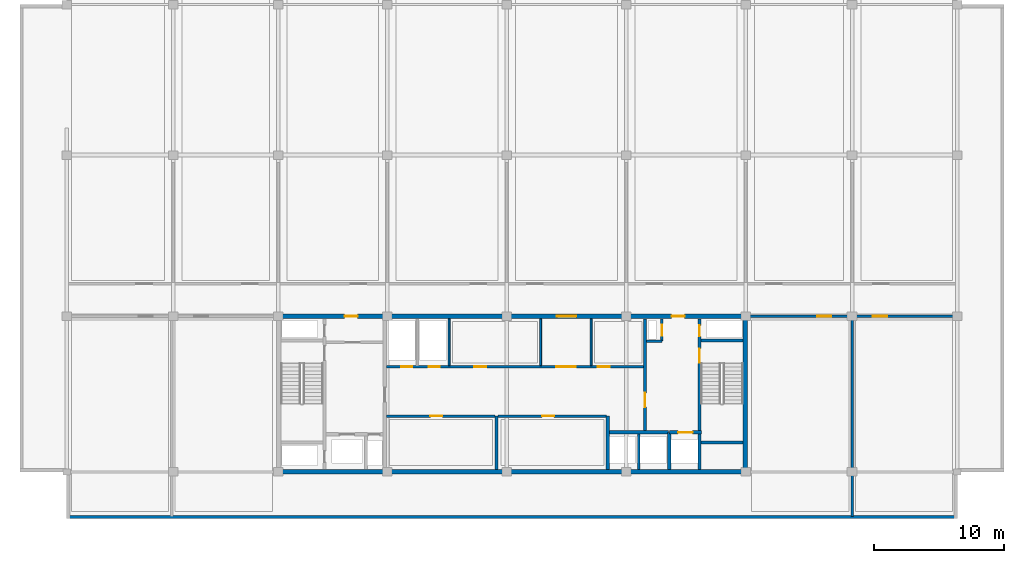
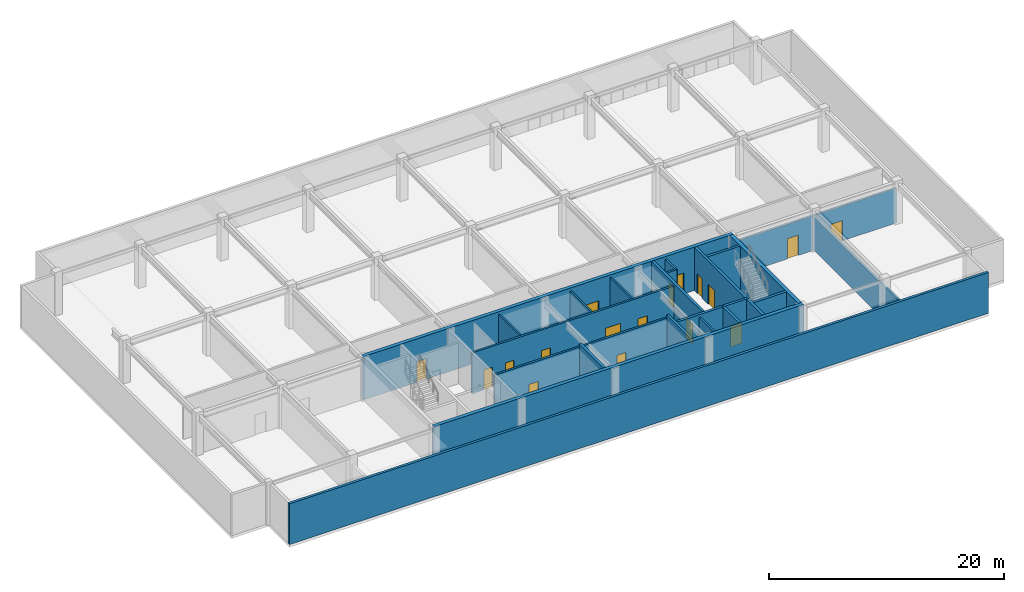
# One storey, part 4 of 9: 24 walls, 17 doors, 17 openings.
"""IFC4 building model written with IfcOpenShell, lengths in metres."""

import ifcopenshell
import ifcopenshell.guid

model = None  # the IFC model being written
_history = None  # IfcOwnerHistory: only IFC2X3 demands one
_inside = {}  # id of a spatial element -> (the spatial element, [elements in it])
_under = {}  # id of a project, library or spatial element -> (it, [spatial elements below it])
_declared = {}  # id of a project -> (the project, [libraries it declares])
_typed = {}  # id of a type object -> (the type object, [elements of that type])
_made_of = {}  # id of a material, layer set ... -> (it, [elements and type objects made of it])


def new_model(schema):
    """Start an empty IFC model of exactly this schema.

    Asked for "IFC4X3", IfcOpenShell would pick the latest addendum, in which some entities
    have other attributes; the version numbers below select the first issue.
    IFC2X3 requires an IfcOwnerHistory on every rooted entity: one is made here for all.
    """
    global model, _history
    if schema == "IFC4X3":
        model = ifcopenshell.file(schema_version=(4, 3, 0, 0))
    else:
        model = ifcopenshell.file(schema=schema)
    _inside.clear()
    _under.clear()
    _declared.clear()
    _typed.clear()
    _made_of.clear()
    _history = None
    if model.schema == "IFC2X3":
        org = make("IfcOrganization", Name="unknown")
        user = make(
            "IfcPersonAndOrganization",
            ThePerson=make("IfcPerson", FamilyName="unknown"),
            TheOrganization=org,
        )
        app = make(
            "IfcApplication",
            ApplicationDeveloper=org,
            Version="unknown",
            ApplicationFullName="unknown",
            ApplicationIdentifier="unknown",
        )
        _history = make(
            "IfcOwnerHistory",
            OwningUser=user,
            OwningApplication=app,
            ChangeAction="ADDED",
            CreationDate=0,
        )
    return model


def make(cls, **values):
    """One entity of the class cls with the attributes given. An attribute that is None is left unset."""
    return model.create_entity(
        cls, **{name: value for name, value in values.items() if value is not None}
    )


def rooted(cls, **values):
    """An entity with a GlobalId (a new one), such as an element, a storey or a relation."""
    return make(cls, GlobalId=ifcopenshell.guid.new(), OwnerHistory=_history, **values)


def si_unit(unit_type, name, prefix=None):
    """IfcSIUnit, for example si_unit("LENGTHUNIT", "METRE", prefix="MILLI")."""
    return make("IfcSIUnit", UnitType=unit_type, Prefix=prefix, Name=name)


def assignment(units):
    """IfcUnitAssignment: the units of a project."""
    return None if units is None else make("IfcUnitAssignment", Units=units)


def point(xyz):
    """IfcCartesianPoint."""
    return None if xyz is None else make("IfcCartesianPoint", Coordinates=xyz)


def direction(xyz):
    """IfcDirection."""
    return None if xyz is None else make("IfcDirection", DirectionRatios=xyz)


def frame(location, z_axis=None, x_axis=None):
    """IfcAxis2Placement3D, a coordinate frame: its origin and axes. An axis left out is left unset."""
    return make(
        "IfcAxis2Placement3D",
        Location=point(location),
        Axis=direction(z_axis),
        RefDirection=direction(x_axis),
    )


def frame_2d(location, x_axis=None):
    """IfcAxis2Placement2D, a coordinate frame in the plane: its origin and x axis."""
    return make(
        "IfcAxis2Placement2D", Location=point(location), RefDirection=direction(x_axis)
    )


def origin():
    """The frame at (0, 0, 0) with its axes left unset."""
    return frame((0.0, 0.0, 0.0))


def place(relative_to, where):
    """IfcLocalPlacement: puts the frame where relative to a parent placement (None: the world)."""
    return make(
        "IfcLocalPlacement", PlacementRelTo=relative_to, RelativePlacement=where
    )


def context(
    kind, dimensions, precision=None, world=None, true_north=None, identifier=None
):
    """IfcGeometricRepresentationContext, for example the 3D "Model" context."""
    return make(
        "IfcGeometricRepresentationContext",
        ContextIdentifier=identifier,
        ContextType=kind,
        CoordinateSpaceDimension=dimensions,
        Precision=precision,
        WorldCoordinateSystem=world,
        TrueNorth=true_north,
    )


def subcontext(parent, identifier, kind, view, scale=None):
    """IfcGeometricRepresentationSubContext, for example "Body" below "Model"."""
    return make(
        "IfcGeometricRepresentationSubContext",
        ContextIdentifier=identifier,
        ContextType=kind,
        ParentContext=parent,
        TargetScale=scale,
        TargetView=view,
    )


def project(units=None, contexts=None):
    """IfcProject with its units and contexts."""
    return rooted(
        "IfcProject",
        Name="project",
        RepresentationContexts=contexts,
        UnitsInContext=assignment(units),
    )


def spatial(cls, under=None, at=None, **own):
    """A site, building, storey or space (cls), placed at a placement, below another one or the project."""
    s = rooted(cls, ObjectPlacement=at, **own)
    if under is not None:
        _under.setdefault(under.id(), (under, []))[1].append(s)
    return s


def profile(cls, at=None, kind="AREA", **sizes):
    """A parametric profile (cls). Its sizes go by their IFC names, for example OverallWidth=200.0."""
    return make(cls, ProfileType=kind, Position=at, **sizes)


def rectangle(**sizes):
    """IfcRectangleProfileDef."""
    return profile("IfcRectangleProfileDef", **sizes)


def extrude(swept, where, along, depth):
    """IfcExtrudedAreaSolid: the profile swept, set in the frame where, extruded along a direction by depth."""
    return make(
        "IfcExtrudedAreaSolid",
        SweptArea=swept,
        Position=where,
        ExtrudedDirection=direction(along),
        Depth=depth,
    )


def shape(context_of_items, identifier, shape_type, items):
    """IfcShapeRepresentation: the items that make up one representation, for example the "Body"."""
    return make(
        "IfcShapeRepresentation",
        ContextOfItems=context_of_items,
        RepresentationIdentifier=identifier,
        RepresentationType=shape_type,
        Items=items,
    )


def material(Name=None, Category=None):
    """IfcMaterial."""
    return make("IfcMaterial", Name=Name, Category=Category)


def layer(
    of_material, thickness, ventilated=None, Name=None, Category=None, Priority=None
):
    """IfcMaterialLayer: one layer of a wall or slab, of a material (None: an air gap)."""
    return make(
        "IfcMaterialLayer",
        Material=of_material,
        LayerThickness=thickness,
        IsVentilated=ventilated,
        Name=Name,
        Category=Category,
        Priority=Priority,
    )


def layer_set(layers, Name=None):
    """IfcMaterialLayerSet."""
    return make("IfcMaterialLayerSet", MaterialLayers=layers, LayerSetName=Name)


def made_of(thing, what):
    """Note that an element or type object is made of a material, layer set ...; save() writes the relation."""
    if what is not None:
        _made_of.setdefault(what.id(), (what, []))[1].append(thing)
    return thing


def type_object(cls, material=None, **own):
    """A type object (cls), such as IfcWallType, which elements share."""
    return made_of(rooted(cls, **own), material)


def element(
    cls,
    number,
    at=None,
    inside=None,
    cuts=None,
    type_object=None,
    material=None,
    context=None,
    identifier="Body",
    shape_type=None,
    held_by="IfcProductDefinitionShape",
    body=None,
    shapes=None,
    **own,
):
    """One element of the class cls, such as IfcWall. Its Tag is "e" and its number.

    at: its placement. inside: the storey or other place that contains it. cuts: it is an
    opening in that element (IfcRelVoidsElement). A single representation is given by context,
    identifier, shape_type and body (its items); several are given by shapes. held_by: the class
    of the entity that holds the representations. save() writes the other relations.
    """
    e = rooted(cls, Tag="e%d" % number, ObjectPlacement=at, **own)
    if body is not None:
        shapes = [shape(context, identifier, shape_type, body)]
    if shapes is not None:
        e.Representation = make(held_by, Representations=shapes)
    if inside is not None:
        _inside.setdefault(inside.id(), (inside, []))[1].append(e)
    if cuts is not None:
        rooted(
            "IfcRelVoidsElement", RelatingBuildingElement=cuts, RelatedOpeningElement=e
        )
    if type_object is not None:
        _typed.setdefault(type_object.id(), (type_object, []))[1].append(e)
    return made_of(e, material)


def fill(opening, filler):
    """IfcRelFillsElement: the door or window that sits in an opening."""
    return rooted(
        "IfcRelFillsElement",
        RelatingOpeningElement=opening,
        RelatedBuildingElement=filler,
    )


def aggregate(whole, parts):
    """IfcRelAggregates: a whole, such as a stair, and the parts it consists of."""
    return rooted("IfcRelAggregates", RelatingObject=whole, RelatedObjects=parts)


def save(model, path):
    """Write the relations noted so far, then the file.

    IfcRelAggregates (storeys below a building ...), IfcRelContainedInSpatialStructure (elements
    in a storey), IfcRelDefinesByType, IfcRelAssociatesMaterial and IfcRelDeclares: one each for
    every whole, place, type object, material and project.
    """
    for whole, parts in _under.values():
        aggregate(whole, parts)
    for where, things in _inside.values():
        rooted(
            "IfcRelContainedInSpatialStructure",
            RelatedElements=things,
            RelatingStructure=where,
        )
    for kind, things in _typed.values():
        rooted("IfcRelDefinesByType", RelatedObjects=things, RelatingType=kind)
    for what, things in _made_of.values():
        rooted("IfcRelAssociatesMaterial", RelatedObjects=things, RelatingMaterial=what)
    for by, libraries in _declared.values():
        rooted("IfcRelDeclares", RelatingContext=by, RelatedDefinitions=libraries)
    model.write(path)


model = new_model("IFC4")

# Units and contexts
model_context = context("Model", 3, precision=1e-05, world=origin(), true_north=direction((0.0, 1.0)))
body_context = subcontext(model_context, "Body", "Model", "MODEL_VIEW")
ifc_project = project(units=[si_unit("LENGTHUNIT", "METRE"), si_unit("AREAUNIT", "SQUARE_METRE"), si_unit("VOLUMEUNIT", "CUBIC_METRE"), si_unit("PLANEANGLEUNIT", "RADIAN"), si_unit("MASSUNIT", "GRAM", prefix="KILO")], contexts=[model_context])

# Site, building, storey
site_placement = place(None, origin())
site = spatial("IfcSite", under=ifc_project, at=site_placement, CompositionType="ELEMENT")
building_placement = place(site_placement, origin())
building = spatial("IfcBuilding", under=site, at=building_placement, Name="Korimba Cascade Residences", CompositionType="ELEMENT")
storey_placement = place(building_placement, frame((0.0, 0.0, 259.699951171875)))
storey = spatial("IfcBuildingStorey", under=building, at=storey_placement, Name="L75", CompositionType="ELEMENT", Elevation=259.699951171875)

# Walls
ifc_material_1 = material(Name="Precast concrete C40/50", Category="concrete")
ifc_layer_1 = layer(ifc_material_1, 0.25)
ifc_layer_set_1 = layer_set([ifc_layer_1], Name="Precast concrete C40/50")
wall_type_1 = type_object("IfcWallType", Name="EW-PLNT-250", PredefinedType="SHEAR", material=ifc_layer_set_1)
wall_1_placement = place(storey_placement, frame((59.800048828125, 51.72509765625, 0.0), z_axis=(0.0, 0.0, 1.0), x_axis=(1.0, 0.0, 0.0)))
element("IfcWall", 1, at=wall_1_placement, inside=storey, type_object=wall_type_1, Name="L75 T1 Perimeter Stone Wall E00", PredefinedType="SHEAR", context=body_context, shape_type="SweptSolid", body=[
    extrude(rectangle(XDim=68.599853515625, YDim=0.25, at=frame_2d((34.2998046875, 0.0))), origin(), (0.0, 0.0, 1.0), 4.22998046875),
])
ifc_material_2 = material(Name="Concrete C65/80", Category="concrete")
ifc_layer_2 = layer(ifc_material_2, 0.35009765625)
ifc_layer_set_2 = layer_set([ifc_layer_2], Name="Concrete C65/80")
wall_type_2 = type_object("IfcWallType", Name="WAL-CORE-350", PredefinedType="SHEAR", material=ifc_layer_set_2)
wall_2_placement = place(storey_placement, frame((75.949951171875, 55.199951171875, 0.0), z_axis=(0.0, 0.0, 1.0), x_axis=(1.0, 0.0, 0.0)))
element("IfcWall", 2, at=wall_2_placement, inside=storey, type_object=wall_type_2, Name="L75 Core Shear Wall CW-L75-T1-S", PredefinedType="SHEAR", context=body_context, shape_type="SweptSolid", body=[
    extrude(rectangle(XDim=36.300048828125, YDim=0.35009765625, at=frame_2d((18.14990234375, 0.0))), origin(), (0.0, 0.0, 1.0), 4.5),
])
wall_3_placement = place(storey_placement, frame((112.074951171875, 55.375, 0.0), z_axis=(0.0, 0.0, 1.0), x_axis=(0.0, 1.0, 0.0)))
element("IfcWall", 3, at=wall_3_placement, inside=storey, type_object=wall_type_2, Name="L75 Core Shear Wall CW-L75-T1-E", PredefinedType="SHEAR", context=body_context, shape_type="SweptSolid", body=[
    extrude(rectangle(XDim=11.64990234375, YDim=0.35009765625, at=frame_2d((5.824951171875, 0.0))), origin(), (0.0, 0.0, 1.0), 4.5),
])

# Wall, openings, doors
wall_4_placement = place(storey_placement, frame((75.949951171875, 67.199951171875, 0.0), z_axis=(0.0, 0.0, 1.0), x_axis=(1.0, 0.0, 0.0)))
wall_4 = element("IfcWall", 4, at=wall_4_placement, inside=storey, type_object=wall_type_2, Name="L75 Core Shear Wall CW-L75-T1-N", PredefinedType="SHEAR", context=body_context, shape_type="SweptSolid", body=[
    extrude(rectangle(XDim=36.300048828125, YDim=0.35009765625, at=frame_2d((18.14990234375, 0.0))), origin(), (0.0, 0.0, 1.0), 4.5),
])
opening_1_placement = place(wall_4_placement, frame((5.25, 0.0, 0.0)))
opening_1 = element("IfcOpeningElement", 5, at=opening_1_placement, cuts=wall_4, Name="Opening D-FD5", PredefinedType="OPENING", context=body_context, shape_type="SweptSolid", body=[
    extrude(rectangle(XDim=1.0, YDim=2.14990234375, at=frame_2d((0.5, 1.074951171875))), frame((0.0, 0.18505859375, 0.0), z_axis=(0.0, -1.0, 0.0), x_axis=(1.0, 0.0, 0.0)), (0.0, 0.0, 1.0), 0.3701171875),
])
opening_2_placement = place(wall_4_placement, frame((21.60009765625, 0.0, 0.0)))
opening_2 = element("IfcOpeningElement", 6, at=opening_2_placement, cuts=wall_4, Name="Opening D-FD8", PredefinedType="OPENING", context=body_context, shape_type="SweptSolid", body=[
    extrude(rectangle(XDim=1.5, YDim=2.199951171875, at=frame_2d((0.75, 1.10009765625))), frame((0.0, 0.18505859375, 0.0), z_axis=(0.0, -1.0, 0.0), x_axis=(1.0, 0.0, 0.0)), (0.0, 0.0, 1.0), 0.3701171875),
])
opening_3_placement = place(wall_4_placement, frame((30.449951171875, 0.0, 0.0)))
opening_3 = element("IfcOpeningElement", 7, at=opening_3_placement, cuts=wall_4, Name="Opening D-FD5", PredefinedType="OPENING", context=body_context, shape_type="SweptSolid", body=[
    extrude(rectangle(XDim=1.0, YDim=2.14990234375, at=frame_2d((0.5, 1.074951171875))), frame((0.0, 0.18505859375, 0.0), z_axis=(0.0, -1.0, 0.0), x_axis=(1.0, 0.0, 0.0)), (0.0, 0.0, 1.0), 0.3701171875),
])
ifc_material_3 = material(Name="Fire-Rated Acoustic Timber Vestibule Door", Category="wood")
door_type_1 = type_object("IfcDoorType", Name="DR-FD90-1000", OperationType="NOTDEFINED", PredefinedType="DOOR", material=ifc_material_3)
door_1_placement = place(opening_1_placement, origin())
door_1 = element("IfcDoor", 8, at=door_1_placement, inside=storey, type_object=door_type_1, Name="L75 T1 West Core Vestibule Fire Door", OperationType="SINGLE_SWING_RIGHT", OverallHeight=2.14990234375, OverallWidth=1.0, PredefinedType="DOOR", context=body_context, shape_type="SweptSolid", body=[
    extrude(rectangle(XDim=1.0, YDim=2.14990234375, at=frame_2d((0.5, 1.074951171875))), frame((0.0, 0.02490234375, 0.0), z_axis=(0.0, -1.0, 0.0), x_axis=(1.0, 0.0, 0.0)), (0.0, 0.0, 1.0), 0.050048828125),
])
fill(opening_1, door_1)
door_2_placement = place(opening_3_placement, origin())
door_2 = element("IfcDoor", 9, at=door_2_placement, inside=storey, type_object=door_type_1, Name="L75 T1 East Firefighting Vestibule Fire Door", OperationType="SINGLE_SWING_LEFT", OverallHeight=2.14990234375, OverallWidth=1.0, PredefinedType="DOOR", context=body_context, shape_type="SweptSolid", body=[
    extrude(rectangle(XDim=1.0, YDim=2.14990234375, at=frame_2d((0.5, 1.074951171875))), frame((0.0, 0.02490234375, 0.0), z_axis=(0.0, -1.0, 0.0), x_axis=(1.0, 0.0, 0.0)), (0.0, 0.0, 1.0), 0.050048828125),
])
fill(opening_3, door_2)
ifc_material_4 = material(Name="Fire-Rated Glazed Lift Lobby Double Door", Category="glass")
door_type_2 = type_object("IfcDoorType", Name="DR-FD90-1500", OperationType="NOTDEFINED", PredefinedType="DOOR", material=ifc_material_4)
door_3_placement = place(opening_2_placement, origin())
door_3 = element("IfcDoor", 10, at=door_3_placement, inside=storey, type_object=door_type_2, Name="L75 T1 Lift Lobby Fire Door", OperationType="DOUBLE_DOOR_SINGLE_SWING", OverallHeight=2.199951171875, OverallWidth=1.5, PredefinedType="DOOR", context=body_context, shape_type="SweptSolid", body=[
    extrude(rectangle(XDim=1.5, YDim=2.199951171875, at=frame_2d((0.75, 1.10009765625))), frame((0.0, 0.02490234375, 0.0), z_axis=(0.0, -1.0, 0.0), x_axis=(1.0, 0.0, 0.0)), (0.0, 0.0, 1.0), 0.050048828125),
])
fill(opening_2, door_3)

# Walls
ifc_material_5 = material(Name="Insulated Acoustic Stud Partition", Category="gypsum")
ifc_layer_3 = layer(ifc_material_5, 0.14990234375)
ifc_layer_set_3 = layer_set([ifc_layer_3], Name="Insulated Acoustic Stud Partition")
wall_type_3 = type_object("IfcWallType", Name="WAL-PART-150", PredefinedType="PARTITIONING", material=ifc_layer_set_3)
for number, where, z_axis, x_axis, name in (
    (11, (89.25, 63.39990234375, 0.0), (0.0, 0.0, 1.0), (0.0, 1.0, 0.0), "L75 Partition Wall CW-L75-T1-PRDIV"),
    (12, (96.300048828125, 63.39990234375, 0.0), (0.0, 0.0, 1.0), (0.0, 1.0, 0.0), "L75 Partition Wall CW-L75-T1-THW"),
    (13, (100.199951171875, 63.39990234375, 0.0), (0.0, 0.0, 1.0), (0.0, 1.0, 0.0), "L75 Partition Wall CW-L75-T1-THE"),
):
    element("IfcWall", number, at=place(storey_placement, frame(where, z_axis=z_axis, x_axis=x_axis)), inside=storey, type_object=wall_type_3, Name=name, PredefinedType="PARTITIONING", context=body_context, shape_type="SweptSolid", body=[
        extrude(rectangle(XDim=3.60009765625, YDim=0.14990234375, at=frame_2d((1.800048828125, 0.0))), origin(), (0.0, 0.0, 1.0), 4.22998046875),
    ])

# Wall, opening, door
ifc_material_6 = material(Name="Concrete C40/50", Category="concrete")
ifc_layer_4 = layer(ifc_material_6, 0.199951171875)
ifc_layer_set_4 = layer_set([ifc_layer_4], Name="Concrete C40/50")
wall_type_4 = type_object("IfcWallType", Name="WAL-PART-200", PredefinedType="PARTITIONING", material=ifc_layer_set_4)
wall_5_placement = place(storey_placement, frame((84.419921875, 59.5, 0.0), z_axis=(0.0, 0.0, 1.0), x_axis=(1.0, 0.0, 0.0)))
wall_5 = element("IfcWall", 14, at=wall_5_placement, inside=storey, type_object=wall_type_4, Name="L75 Partition Wall CW-L75-T1-B1RN", PredefinedType="PARTITIONING", context=body_context, shape_type="SweptSolid", body=[
    extrude(rectangle(XDim=8.360107421875, YDim=0.199951171875, at=frame_2d((4.18017578125, 0.0))), origin(), (0.0, 0.0, 1.0), 4.22998046875),
])
opening_4_placement = place(wall_5_placement, frame((3.39990234375, 0.0, 0.0)))
opening_4 = element("IfcOpeningElement", 15, at=opening_4_placement, cuts=wall_5, Name="Opening D-ST1", PredefinedType="OPENING", context=body_context, shape_type="SweptSolid", body=[
    extrude(rectangle(XDim=0.919921875, YDim=2.080078125, at=frame_2d((0.4599609375, 1.0400390625))), frame((0.0, 0.10986328125, 0.0), z_axis=(0.0, -1.0, 0.0), x_axis=(1.0, 0.0, 0.0)), (0.0, 0.0, 1.0), 0.219970703125),
])
ifc_material_7 = material(Name="Fire-Rated Core Store Door", Category="wood")
door_type_3 = type_object("IfcDoorType", Name="DR-FD60-920", OperationType="NOTDEFINED", PredefinedType="DOOR", material=ifc_material_7)
door_4_placement = place(opening_4_placement, origin())
door_4 = element("IfcDoor", 16, at=door_4_placement, inside=storey, type_object=door_type_3, Name="L75 Resident Storage Door", OperationType="SINGLE_SWING_RIGHT", OverallHeight=2.080078125, OverallWidth=0.919921875, PredefinedType="DOOR", context=body_context, shape_type="SweptSolid", body=[
    extrude(rectangle(XDim=0.919921875, YDim=2.080078125, at=frame_2d((0.4599609375, 1.0400390625))), frame((0.0, 0.02490234375, 0.0), z_axis=(0.0, -1.0, 0.0), x_axis=(1.0, 0.0, 0.0)), (0.0, 0.0, 1.0), 0.050048828125),
])
fill(opening_4, door_4)

wall_6_placement = place(storey_placement, frame((93.02001953125, 59.5, 0.0), z_axis=(0.0, 0.0, 1.0), x_axis=(1.0, 0.0, 0.0)))
wall_6 = element("IfcWall", 17, at=wall_6_placement, inside=storey, type_object=wall_type_4, Name="L75 Partition Wall CW-L75-T1-B2RN", PredefinedType="PARTITIONING", context=body_context, shape_type="SweptSolid", body=[
    extrude(rectangle(XDim=8.35986328125, YDim=0.199951171875, at=frame_2d((4.179931640625, 0.0))), origin(), (0.0, 0.0, 1.0), 4.22998046875),
])
opening_5_placement = place(wall_6_placement, frame((3.39990234375, 0.0, 0.0)))
opening_5 = element("IfcOpeningElement", 18, at=opening_5_placement, cuts=wall_6, Name="Opening D-ST1", PredefinedType="OPENING", context=body_context, shape_type="SweptSolid", body=[
    extrude(rectangle(XDim=0.919921875, YDim=2.080078125, at=frame_2d((0.4599609375, 1.0400390625))), frame((0.0, 0.10986328125, 0.0), z_axis=(0.0, -1.0, 0.0), x_axis=(1.0, 0.0, 0.0)), (0.0, 0.0, 1.0), 0.219970703125),
])
door_5_placement = place(opening_5_placement, origin())
door_5 = element("IfcDoor", 19, at=door_5_placement, inside=storey, type_object=door_type_3, Name="L75 Wine Cellar Store Door", OperationType="SINGLE_SWING_LEFT", OverallHeight=2.080078125, OverallWidth=0.919921875, PredefinedType="DOOR", context=body_context, shape_type="SweptSolid", body=[
    extrude(rectangle(XDim=0.919921875, YDim=2.080078125, at=frame_2d((0.4599609375, 1.0400390625))), frame((0.0, 0.02490234375, 0.0), z_axis=(0.0, -1.0, 0.0), x_axis=(1.0, 0.0, 0.0)), (0.0, 0.0, 1.0), 0.050048828125),
])
fill(opening_5, door_5)

# Wall
wall_7_placement = place(storey_placement, frame((103.85009765625, 55.39990234375, 0.0), z_axis=(0.0, 0.0, 1.0), x_axis=(0.0, 1.0, 0.0)))
element("IfcWall", 20, at=wall_7_placement, inside=storey, type_object=wall_type_4, Name="L75 Partition Wall CW-L75-T1-B3D1", PredefinedType="PARTITIONING", context=body_context, shape_type="SweptSolid", body=[
    extrude(rectangle(XDim=2.72021484375, YDim=0.199951171875, at=frame_2d((1.360107421875, 0.0))), origin(), (0.0, 0.0, 1.0), 4.22998046875),
])

# Wall, openings, doors
wall_8_placement = place(storey_placement, frame((84.419921875, 63.300048828125, 0.0), z_axis=(0.0, 0.0, 1.0), x_axis=(1.0, 0.0, 0.0)))
wall_8 = element("IfcWall", 21, at=wall_8_placement, inside=storey, type_object=wall_type_4, Name="L75 Partition Wall CW-L75-T1-SRVROW", PredefinedType="PARTITIONING", context=body_context, shape_type="SweptSolid", body=[
    extrude(rectangle(XDim=19.830078125, YDim=0.199951171875, at=frame_2d((9.9150390625, 0.0))), origin(), (0.0, 0.0, 1.0), 4.22998046875),
])
opening_6_placement = place(wall_8_placement, frame((1.14990234375, 0.0, 0.0)))
opening_6 = element("IfcOpeningElement", 22, at=opening_6_placement, cuts=wall_8, Name="Opening D-RS1", PredefinedType="OPENING", context=body_context, shape_type="SweptSolid", body=[
    extrude(rectangle(XDim=0.85009765625, YDim=2.050048828125, at=frame_2d((0.425048828125, 1.02490234375))), frame((0.0, 0.10986328125, 0.0), z_axis=(0.0, -1.0, 0.0), x_axis=(1.0, 0.0, 0.0)), (0.0, 0.0, 1.0), 0.219970703125),
])
opening_7_placement = place(wall_8_placement, frame((3.25, 0.0, 0.0)))
opening_7 = element("IfcOpeningElement", 23, at=opening_7_placement, cuts=wall_8, Name="Opening D-RS1", PredefinedType="OPENING", context=body_context, shape_type="SweptSolid", body=[
    extrude(rectangle(XDim=0.85009765625, YDim=2.050048828125, at=frame_2d((0.425048828125, 1.02490234375))), frame((0.0, 0.10986328125, 0.0), z_axis=(0.0, -1.0, 0.0), x_axis=(1.0, 0.0, 0.0)), (0.0, 0.0, 1.0), 0.219970703125),
])
opening_8_placement = place(wall_8_placement, frame((13.080078125, 0.0, 0.0)))
opening_8 = element("IfcOpeningElement", 24, at=opening_8_placement, cuts=wall_8, Name="Opening D-FD8", PredefinedType="OPENING", context=body_context, shape_type="SweptSolid", body=[
    extrude(rectangle(XDim=1.5, YDim=2.199951171875, at=frame_2d((0.75, 1.10009765625))), frame((0.0, 0.10986328125, 0.0), z_axis=(0.0, -1.0, 0.0), x_axis=(1.0, 0.0, 0.0)), (0.0, 0.0, 1.0), 0.219970703125),
])
opening_9_placement = place(wall_8_placement, frame((6.780029296875, 0.0, 0.0)))
opening_9 = element("IfcOpeningElement", 25, at=opening_9_placement, cuts=wall_8, Name="Opening D-IN1", PredefinedType="OPENING", context=body_context, shape_type="SweptSolid", body=[
    extrude(rectangle(XDim=0.919921875, YDim=2.080078125, at=frame_2d((0.4599609375, 1.0400390625))), frame((0.0, 0.10986328125, 0.0), z_axis=(0.0, -1.0, 0.0), x_axis=(1.0, 0.0, 0.0)), (0.0, 0.0, 1.0), 0.219970703125),
])
opening_10_placement = place(wall_8_placement, frame((16.280029296875, 0.0, 0.0)))
opening_10 = element("IfcOpeningElement", 26, at=opening_10_placement, cuts=wall_8, Name="Opening D-IN1", PredefinedType="OPENING", context=body_context, shape_type="SweptSolid", body=[
    extrude(rectangle(XDim=0.919921875, YDim=2.080078125, at=frame_2d((0.4599609375, 1.0400390625))), frame((0.0, 0.10986328125, 0.0), z_axis=(0.0, -1.0, 0.0), x_axis=(1.0, 0.0, 0.0)), (0.0, 0.0, 1.0), 0.219970703125),
])
ifc_material_8 = material(Name="Fire-Rated Steel Riser Access Door", Category="steel")
door_type_4 = type_object("IfcDoorType", Name="DR-FD60-850", OperationType="NOTDEFINED", PredefinedType="DOOR", material=ifc_material_8)
door_6_placement = place(opening_6_placement, origin())
door_6 = element("IfcDoor", 27, at=door_6_placement, inside=storey, type_object=door_type_4, Name="L75 Electrical Riser Door", OperationType="SINGLE_SWING_RIGHT", OverallHeight=2.050048828125, OverallWidth=0.85009765625, PredefinedType="DOOR", context=body_context, shape_type="SweptSolid", body=[
    extrude(rectangle(XDim=0.85009765625, YDim=2.050048828125, at=frame_2d((0.425048828125, 1.02490234375))), frame((0.0, 0.02490234375, 0.0), z_axis=(0.0, -1.0, 0.0), x_axis=(1.0, 0.0, 0.0)), (0.0, 0.0, 1.0), 0.050048828125),
])
fill(opening_6, door_6)
door_7_placement = place(opening_7_placement, origin())
door_7 = element("IfcDoor", 28, at=door_7_placement, inside=storey, type_object=door_type_4, Name="L75 Plumbing Riser Door", OperationType="SINGLE_SWING_LEFT", OverallHeight=2.050048828125, OverallWidth=0.85009765625, PredefinedType="DOOR", context=body_context, shape_type="SweptSolid", body=[
    extrude(rectangle(XDim=0.85009765625, YDim=2.050048828125, at=frame_2d((0.425048828125, 1.02490234375))), frame((0.0, 0.02490234375, 0.0), z_axis=(0.0, -1.0, 0.0), x_axis=(1.0, 0.0, 0.0)), (0.0, 0.0, 1.0), 0.050048828125),
])
fill(opening_7, door_7)
door_8_placement = place(opening_8_placement, origin())
door_8 = element("IfcDoor", 29, at=door_8_placement, inside=storey, type_object=door_type_2, Name="L75 Lift Lobby Foyer Archway Door", OperationType="DOUBLE_DOOR_SINGLE_SWING", OverallHeight=2.199951171875, OverallWidth=1.5, PredefinedType="DOOR", context=body_context, shape_type="SweptSolid", body=[
    extrude(rectangle(XDim=1.5, YDim=2.199951171875, at=frame_2d((0.75, 1.10009765625))), frame((0.0, 0.02490234375, 0.0), z_axis=(0.0, -1.0, 0.0), x_axis=(1.0, 0.0, 0.0)), (0.0, 0.0, 1.0), 0.050048828125),
])
fill(opening_8, door_8)
ifc_material_9 = material(Name="Acoustic Timber Living Door", Category="wood")
door_type_5 = type_object("IfcDoorType", Name="DR-INT-920", OperationType="NOTDEFINED", PredefinedType="DOOR", material=ifc_material_9)
door_9_placement = place(opening_9_placement, origin())
door_9 = element("IfcDoor", 30, at=door_9_placement, inside=storey, type_object=door_type_5, Name="L75 Housekeeping Door", OperationType="SINGLE_SWING_RIGHT", OverallHeight=2.080078125, OverallWidth=0.919921875, PredefinedType="DOOR", context=body_context, shape_type="SweptSolid", body=[
    extrude(rectangle(XDim=0.919921875, YDim=2.080078125, at=frame_2d((0.4599609375, 1.0400390625))), frame((0.0, 0.02490234375, 0.0), z_axis=(0.0, -1.0, 0.0), x_axis=(1.0, 0.0, 0.0)), (0.0, 0.0, 1.0), 0.050048828125),
])
fill(opening_9, door_9)
door_10_placement = place(opening_10_placement, origin())
door_10 = element("IfcDoor", 31, at=door_10_placement, inside=storey, type_object=door_type_5, Name="L75 Store Door", OperationType="SINGLE_SWING_LEFT", OverallHeight=2.080078125, OverallWidth=0.919921875, PredefinedType="DOOR", context=body_context, shape_type="SweptSolid", body=[
    extrude(rectangle(XDim=0.919921875, YDim=2.080078125, at=frame_2d((0.4599609375, 1.0400390625))), frame((0.0, 0.02490234375, 0.0), z_axis=(0.0, -1.0, 0.0), x_axis=(1.0, 0.0, 0.0)), (0.0, 0.0, 1.0), 0.050048828125),
])
fill(opening_10, door_10)

# Wall
wall_9_placement = place(storey_placement, frame((104.449951171875, 65.280029296875, 0.0), z_axis=(0.0, 0.0, 1.0), x_axis=(1.0, 0.0, 0.0)))
element("IfcWall", 32, at=wall_9_placement, inside=storey, type_object=wall_type_4, Name="L75 Partition Wall CW-L75-T1-HYDW2S", PredefinedType="PARTITIONING", context=body_context, shape_type="SweptSolid", body=[
    extrude(rectangle(XDim=1.199951171875, YDim=0.199951171875, at=frame_2d((0.60009765625, 0.0))), origin(), (0.0, 0.0, 1.0), 4.22998046875),
])

# Wall, opening, door
wall_10_placement = place(storey_placement, frame((105.64990234375, 65.280029296875, 0.0), z_axis=(0.0, 0.0, 1.0), x_axis=(0.0, 1.0, 0.0)))
wall_10 = element("IfcWall", 33, at=wall_10_placement, inside=storey, type_object=wall_type_4, Name="L75 Partition Wall CW-L75-T1-HYDW2E", PredefinedType="PARTITIONING", context=body_context, shape_type="SweptSolid", body=[
    extrude(rectangle(XDim=1.719970703125, YDim=0.199951171875, at=frame_2d((0.85986328125, 0.0))), origin(), (0.0, 0.0, 1.0), 4.22998046875),
])
opening_11_placement = place(wall_10_placement, frame((0.39990234375, 0.0, 0.0)))
opening_11 = element("IfcOpeningElement", 34, at=opening_11_placement, cuts=wall_10, Name="Opening D-RS1", PredefinedType="OPENING", context=body_context, shape_type="SweptSolid", body=[
    extrude(rectangle(XDim=0.85009765625, YDim=2.050048828125, at=frame_2d((0.425048828125, 1.02490234375))), frame((0.0, 0.10986328125, 0.0), z_axis=(0.0, -1.0, 0.0), x_axis=(1.0, 0.0, 0.0)), (0.0, 0.0, 1.0), 0.219970703125),
])
door_11_placement = place(opening_11_placement, origin())
door_11 = element("IfcDoor", 35, at=door_11_placement, inside=storey, type_object=door_type_4, Name="L75 East Hydrant Door", OperationType="SINGLE_SWING_RIGHT", OverallHeight=2.050048828125, OverallWidth=0.85009765625, PredefinedType="DOOR", context=body_context, shape_type="SweptSolid", body=[
    extrude(rectangle(XDim=0.85009765625, YDim=2.050048828125, at=frame_2d((0.425048828125, 1.02490234375))), frame((0.0, 0.02490234375, 0.0), z_axis=(0.0, -1.0, 0.0), x_axis=(1.0, 0.0, 0.0)), (0.0, 0.0, 1.0), 0.050048828125),
])
fill(opening_11, door_11)

# Wall
wall_11_placement = place(storey_placement, frame((120.300048828125, 51.75, 0.0), z_axis=(0.0, 0.0, 1.0), x_axis=(0.0, 1.0, 0.0)))
element("IfcWall", 36, at=wall_11_placement, inside=storey, type_object=wall_type_4, Name="L75 Partition Wall WAL-L75-T1-RWEV", PredefinedType="PARTITIONING", context=body_context, shape_type="SweptSolid", body=[
    extrude(rectangle(XDim=15.39990234375, YDim=0.199951171875, at=frame_2d((7.699951171875, 0.0))), origin(), (0.0, 0.0, 1.0), 3.537109375),
])

# Wall, openings, doors
wall_12_placement = place(storey_placement, frame((112.25, 67.199951171875, 0.0), z_axis=(0.0, 0.0, 1.0), x_axis=(1.0, 0.0, 0.0)))
wall_12 = element("IfcWall", 37, at=wall_12_placement, inside=storey, type_object=wall_type_4, Name="L75 Partition Wall WAL-L75-T1-RWEN", PredefinedType="PARTITIONING", context=body_context, shape_type="SweptSolid", body=[
    extrude(rectangle(XDim=16.10009765625, YDim=0.199951171875, at=frame_2d((8.050048828125, 0.0))), origin(), (0.0, 0.0, 1.0), 3.60986328125),
])
opening_12_placement = place(wall_12_placement, frame((5.360107421875, 0.0, 0.0)))
opening_12 = element("IfcOpeningElement", 38, at=opening_12_placement, cuts=wall_12, Name="Opening D-FD1", PredefinedType="OPENING", context=body_context, shape_type="SweptSolid", body=[
    extrude(rectangle(XDim=1.10009765625, YDim=2.10009765625, at=frame_2d((0.550048828125, 1.050048828125))), frame((0.0, 0.10986328125, 0.0), z_axis=(0.0, -1.0, 0.0), x_axis=(1.0, 0.0, 0.0)), (0.0, 0.0, 1.0), 0.219970703125),
])
opening_13_placement = place(wall_12_placement, frame((9.64990234375, 0.0, 0.0)))
opening_13 = element("IfcOpeningElement", 39, at=opening_13_placement, cuts=wall_12, Name="Opening D-FD1", PredefinedType="OPENING", context=body_context, shape_type="SweptSolid", body=[
    extrude(rectangle(XDim=1.10009765625, YDim=2.10009765625, at=frame_2d((0.550048828125, 1.050048828125))), frame((0.0, 0.10986328125, 0.0), z_axis=(0.0, -1.0, 0.0), x_axis=(1.0, 0.0, 0.0)), (0.0, 0.0, 1.0), 0.219970703125),
])
ifc_material_10 = material(Name="Fire-Rated Steel Core Door", Category="steel")
door_type_6 = type_object("IfcDoorType", Name="DR-FD120-1100", OperationType="NOTDEFINED", PredefinedType="DOOR", material=ifc_material_10)
door_12_placement = place(opening_12_placement, origin())
door_12 = element("IfcDoor", 40, at=door_12_placement, inside=storey, type_object=door_type_6, Name="L75 E Tank Plant Door", OperationType="SINGLE_SWING_RIGHT", OverallHeight=2.10009765625, OverallWidth=1.10009765625, PredefinedType="DOOR", context=body_context, shape_type="SweptSolid", body=[
    extrude(rectangle(XDim=1.10009765625, YDim=2.10009765625, at=frame_2d((0.550048828125, 1.050048828125))), frame((0.0, 0.02490234375, 0.0), z_axis=(0.0, -1.0, 0.0), x_axis=(1.0, 0.0, 0.0)), (0.0, 0.0, 1.0), 0.050048828125),
])
fill(opening_12, door_12)
door_13_placement = place(opening_13_placement, origin())
door_13 = element("IfcDoor", 41, at=door_13_placement, inside=storey, type_object=door_type_6, Name="L75 E Switchroom Door", OperationType="SINGLE_SWING_LEFT", OverallHeight=2.10009765625, OverallWidth=1.10009765625, PredefinedType="DOOR", context=body_context, shape_type="SweptSolid", body=[
    extrude(rectangle(XDim=1.10009765625, YDim=2.10009765625, at=frame_2d((0.550048828125, 1.050048828125))), frame((0.0, 0.02490234375, 0.0), z_axis=(0.0, -1.0, 0.0), x_axis=(1.0, 0.0, 0.0)), (0.0, 0.0, 1.0), 0.050048828125),
])
fill(opening_13, door_13)

# Walls
ifc_material_11 = material(Name="Concrete C50/60", Category="concrete")
ifc_layer_5 = layer(ifc_material_11, 0.25)
ifc_layer_set_5 = layer_set([ifc_layer_5], Name="Concrete C50/60")
wall_type_5 = type_object("IfcWallType", Name="WAL-SHAFT-250", PredefinedType="SHEAR", material=ifc_layer_set_5)
for number, where, z_axis, x_axis, name in (
    (42, (92.89990234375, 55.39990234375, 0.0), (0.0, 0.0, 1.0), (0.0, 1.0, 0.0), "L75 Core Shear Wall CW-L75-T1-B12DIV"),
    (43, (101.47998046875, 55.39990234375, 0.0), (0.0, 0.0, 1.0), (0.0, 1.0, 0.0), "L75 Core Shear Wall CW-L75-T1-B23DIV"),
):
    element("IfcWall", number, at=place(storey_placement, frame(where, z_axis=z_axis, x_axis=x_axis)), inside=storey, type_object=wall_type_5, Name=name, PredefinedType="SHEAR", context=body_context, shape_type="SweptSolid", body=[
        extrude(rectangle(XDim=4.10009765625, YDim=0.25, at=frame_2d((2.050048828125, 0.0))), origin(), (0.0, 0.0, 1.0), 4.5),
    ])
wall_13_placement = place(storey_placement, frame((101.550048828125, 58.25, 0.0), z_axis=(0.0, 0.0, 1.0), x_axis=(1.0, 0.0, 0.0)))
element("IfcWall", 44, at=wall_13_placement, inside=storey, type_object=wall_type_5, Name="L75 Core Shear Wall CW-L75-T1-B3N", PredefinedType="SHEAR", context=body_context, shape_type="SweptSolid", body=[
    extrude(rectangle(XDim=4.599853515625, YDim=0.25, at=frame_2d((2.2998046875, 0.0))), origin(), (0.0, 0.0, 1.0), 4.5),
])
wall_14_placement = place(storey_placement, frame((106.219970703125, 55.39990234375, 0.0), z_axis=(0.0, 0.0, 1.0), x_axis=(0.0, 1.0, 0.0)))
element("IfcWall", 45, at=wall_14_placement, inside=storey, type_object=wall_type_5, Name="L75 Core Shear Wall CW-L75-T1-FF2W", PredefinedType="SHEAR", context=body_context, shape_type="SweptSolid", body=[
    extrude(rectangle(XDim=2.85009765625, YDim=0.25, at=frame_2d((1.425048828125, 0.0))), origin(), (0.0, 0.0, 1.0), 4.5),
])

# Wall, opening, door
wall_15_placement = place(storey_placement, frame((106.219970703125, 58.25, 0.0), z_axis=(0.0, 0.0, 1.0), x_axis=(1.0, 0.0, 0.0)))
wall_15 = element("IfcWall", 46, at=wall_15_placement, inside=storey, type_object=wall_type_5, Name="L75 Core Shear Wall CW-L75-T1-FF2N", PredefinedType="SHEAR", context=body_context, shape_type="SweptSolid", body=[
    extrude(rectangle(XDim=2.4599609375, YDim=0.25, at=frame_2d((1.22998046875, 0.0))), origin(), (0.0, 0.0, 1.0), 4.5),
])
opening_14_placement = place(wall_15_placement, frame((0.669921875, 0.0, 0.0)))
opening_14 = element("IfcOpeningElement", 47, at=opening_14_placement, cuts=wall_15, Name="Opening LD-01", PredefinedType="OPENING", context=body_context, shape_type="SweptSolid", body=[
    extrude(rectangle(XDim=1.1201171875, YDim=2.1201171875, at=frame_2d((0.56005859375, 1.06005859375))), frame((0.0, 0.135009765625, 0.0), z_axis=(0.0, -1.0, 0.0), x_axis=(1.0, 0.0, 0.0)), (0.0, 0.0, 1.0), 0.27001953125),
])
ifc_material_12 = material(Name="Stainless Steel Lift Landing Sliding Door", Category="steel")
door_type_7 = type_object("IfcDoorType", Name="DR-LIFT-1100", OperationType="NOTDEFINED", PredefinedType="DOOR", material=ifc_material_12)
door_14_placement = place(opening_14_placement, origin())
door_14 = element("IfcDoor", 48, at=door_14_placement, inside=storey, type_object=door_type_7, Name="L75 Firefighting Lift Landing Door FFL-W2", OperationType="SLIDING_TO_RIGHT", OverallHeight=2.1201171875, OverallWidth=1.1201171875, PredefinedType="DOOR", context=body_context, shape_type="SweptSolid", body=[
    extrude(rectangle(XDim=1.1201171875, YDim=2.1201171875, at=frame_2d((0.56005859375, 1.06005859375))), frame((0.0, 0.02490234375, 0.0), z_axis=(0.0, -1.0, 0.0), x_axis=(1.0, 0.0, 0.0)), (0.0, 0.0, 1.0), 0.050048828125),
])
fill(opening_14, door_14)

wall_16_placement = place(storey_placement, frame((104.35009765625, 58.39990234375, 0.0), z_axis=(0.0, 0.0, 1.0), x_axis=(0.0, 1.0, 0.0)))
wall_16 = element("IfcWall", 49, at=wall_16_placement, inside=storey, type_object=wall_type_5, Name="L75 Core Shear Wall CW-L75-T1-LLEV", PredefinedType="SHEAR", context=body_context, shape_type="SweptSolid", body=[
    extrude(rectangle(XDim=8.60009765625, YDim=0.25, at=frame_2d((4.300048828125, 0.0))), origin(), (0.0, 0.0, 1.0), 4.5),
])
opening_15_placement = place(wall_16_placement, frame((1.800048828125, 0.0, 0.0)))
opening_15 = element("IfcOpeningElement", 50, at=opening_15_placement, cuts=wall_16, Name="Opening D-FD1", PredefinedType="OPENING", context=body_context, shape_type="SweptSolid", body=[
    extrude(rectangle(XDim=1.10009765625, YDim=2.10009765625, at=frame_2d((0.550048828125, 1.050048828125))), frame((0.0, 0.135009765625, 0.0), z_axis=(0.0, -1.0, 0.0), x_axis=(1.0, 0.0, 0.0)), (0.0, 0.0, 1.0), 0.27001953125),
])
door_15_placement = place(opening_15_placement, origin())
door_15 = element("IfcDoor", 51, at=door_15_placement, inside=storey, type_object=door_type_6, Name="L75 Lift Lobby to East Firefighting Lobby Door", OperationType="SINGLE_SWING_LEFT", OverallHeight=2.10009765625, OverallWidth=1.10009765625, PredefinedType="DOOR", context=body_context, shape_type="SweptSolid", body=[
    extrude(rectangle(XDim=1.10009765625, YDim=2.10009765625, at=frame_2d((0.550048828125, 1.050048828125))), frame((0.0, 0.02490234375, 0.0), z_axis=(0.0, -1.0, 0.0), x_axis=(1.0, 0.0, 0.0)), (0.0, 0.0, 1.0), 0.050048828125),
])
fill(opening_15, door_15)

# Wall, openings, doors
wall_17_placement = place(storey_placement, frame((108.534912109375, 55.39990234375, 0.0), z_axis=(0.0, 0.0, 1.0), x_axis=(0.0, 1.0, 0.0)))
wall_17 = element("IfcWall", 52, at=wall_17_placement, inside=storey, type_object=wall_type_5, Name="L75 Core Shear Wall CW-L75-T1-STW2W", PredefinedType="SHEAR", context=body_context, shape_type="SweptSolid", body=[
    extrude(rectangle(XDim=11.60009765625, YDim=0.25, at=frame_2d((5.800048828125, 0.0))), origin(), (0.0, 0.0, 1.0), 4.5),
])
opening_16_placement = place(wall_17_placement, frame((8.199951171875, 0.0, 0.0)))
opening_16 = element("IfcOpeningElement", 53, at=opening_16_placement, cuts=wall_17, Name="Opening D-FD1", PredefinedType="OPENING", context=body_context, shape_type="SweptSolid", body=[
    extrude(rectangle(XDim=1.10009765625, YDim=2.10009765625, at=frame_2d((0.550048828125, 1.050048828125))), frame((0.0, 0.135009765625, 0.0), z_axis=(0.0, -1.0, 0.0), x_axis=(1.0, 0.0, 0.0)), (0.0, 0.0, 1.0), 0.27001953125),
])
opening_17_placement = place(wall_17_placement, frame((10.25, 0.0, 0.0)))
opening_17 = element("IfcOpeningElement", 54, at=opening_17_placement, cuts=wall_17, Name="Opening D-RS1", PredefinedType="OPENING", context=body_context, shape_type="SweptSolid", body=[
    extrude(rectangle(XDim=0.85009765625, YDim=2.050048828125, at=frame_2d((0.425048828125, 1.02490234375))), frame((0.0, 0.135009765625, 0.0), z_axis=(0.0, -1.0, 0.0), x_axis=(1.0, 0.0, 0.0)), (0.0, 0.0, 1.0), 0.27001953125),
])
door_16_placement = place(opening_16_placement, origin())
door_16 = element("IfcDoor", 55, at=door_16_placement, inside=storey, type_object=door_type_6, Name="L75 Fire Stair ST-W2 Door", OperationType="SINGLE_SWING_RIGHT", OverallHeight=2.10009765625, OverallWidth=1.10009765625, PredefinedType="DOOR", context=body_context, shape_type="SweptSolid", body=[
    extrude(rectangle(XDim=1.10009765625, YDim=2.10009765625, at=frame_2d((0.550048828125, 1.050048828125))), frame((0.0, 0.02490234375, 0.0), z_axis=(0.0, -1.0, 0.0), x_axis=(1.0, 0.0, 0.0)), (0.0, 0.0, 1.0), 0.050048828125),
])
fill(opening_16, door_16)
door_17_placement = place(opening_17_placement, origin())
door_17 = element("IfcDoor", 56, at=door_17_placement, inside=storey, type_object=door_type_4, Name="L75 East Riser Door", OperationType="SINGLE_SWING_LEFT", OverallHeight=2.050048828125, OverallWidth=0.85009765625, PredefinedType="DOOR", context=body_context, shape_type="SweptSolid", body=[
    extrude(rectangle(XDim=0.85009765625, YDim=2.050048828125, at=frame_2d((0.425048828125, 1.02490234375))), frame((0.0, 0.02490234375, 0.0), z_axis=(0.0, -1.0, 0.0), x_axis=(1.0, 0.0, 0.0)), (0.0, 0.0, 1.0), 0.050048828125),
])
fill(opening_17, door_17)

# Walls
for number, where, z_axis, x_axis, name in (
    (57, (108.659912109375, 57.47509765625, 0.0), (0.0, 0.0, 1.0), (1.0, 0.0, 0.0), "L75 Core Shear Wall CW-L75-T1-STW2S"),
    (58, (108.659912109375, 65.324951171875, 0.0), (0.0, 0.0, 1.0), (1.0, 0.0, 0.0), "L75 Core Shear Wall CW-L75-T1-STW2N"),
):
    element("IfcWall", number, at=place(storey_placement, frame(where, z_axis=z_axis, x_axis=x_axis)), inside=storey, type_object=wall_type_5, Name=name, PredefinedType="SHEAR", context=body_context, shape_type="SweptSolid", body=[
        extrude(rectangle(XDim=3.239990234375, YDim=0.25, at=frame_2d((1.6201171875, 0.0))), origin(), (0.0, 0.0, 1.0), 4.5),
    ])

save(model, "model.ifc")
